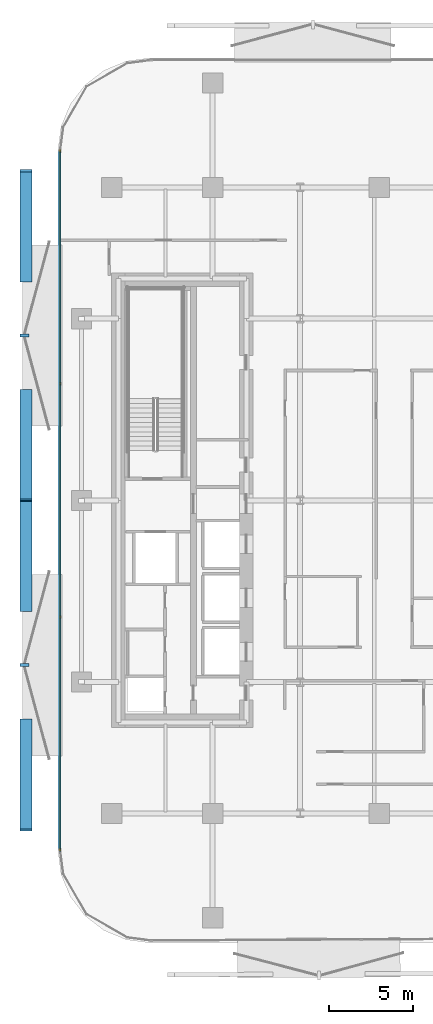
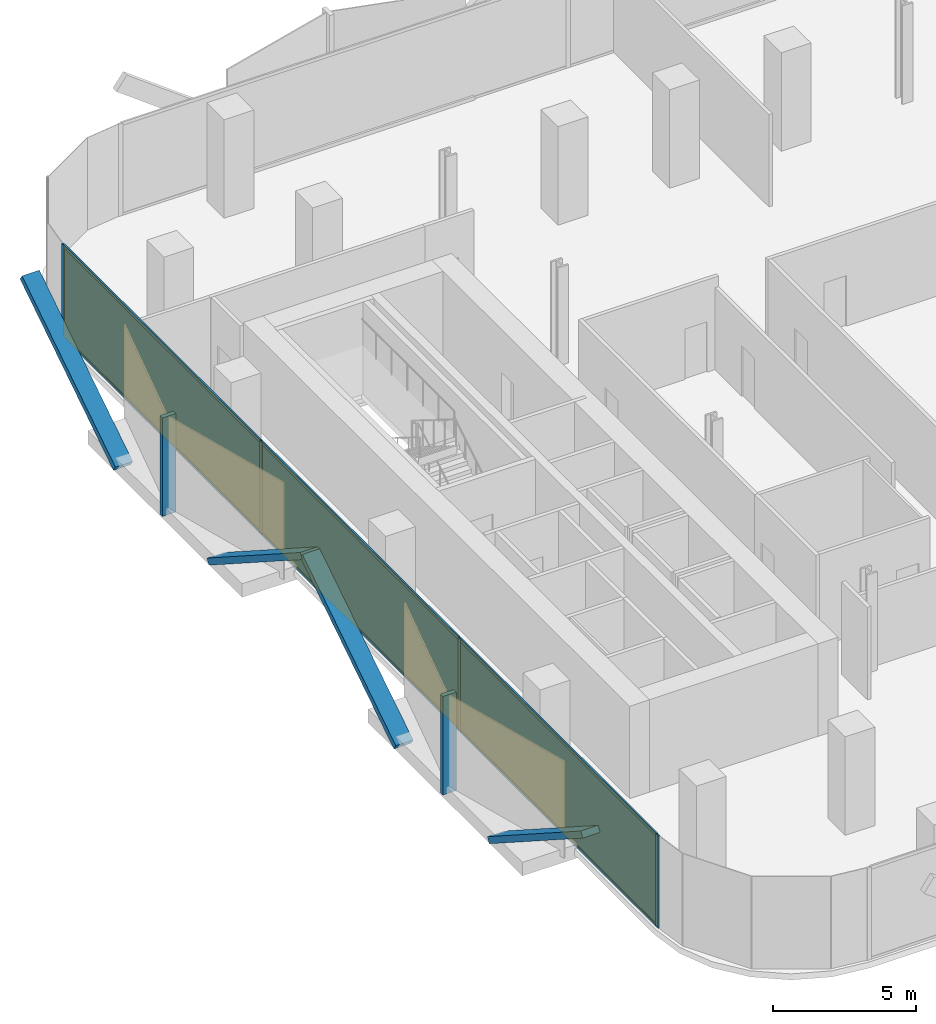
# One storey, part 8 of 15: 16 members, 3 plates, 1 curtain wall.
"""IFC4 building model written with IfcOpenShell, lengths in metres."""

from ifc_helpers import new_model, si_unit, direction, frame, frame_2d, origin, origin_2d, place, context, subcontext, project, spatial, rectangle, extrude, material, layer, layer_set, material_profile, profile_set, type_object, element, aggregate, save


model = new_model("IFC4")

# Units and contexts
model_context = context("Model", 3, precision=1e-05, world=origin(), true_north=direction((0.0, 1.0)))
body_context = subcontext(model_context, "Body", "Model", "MODEL_VIEW")
ifc_project = project(units=[si_unit("LENGTHUNIT", "METRE"), si_unit("AREAUNIT", "SQUARE_METRE"), si_unit("VOLUMEUNIT", "CUBIC_METRE"), si_unit("PLANEANGLEUNIT", "RADIAN"), si_unit("MASSUNIT", "GRAM", prefix="KILO")], contexts=[model_context])

# Member
ifc_material_1 = material(Name="Anodised Bronze Aluminium 6063-T6", Category="aluminium")
ifc_material_profile_1 = material_profile(ifc_material_1, rectangle(XDim=0.260009765625, YDim=0.699951171875, at=origin_2d()))
ifc_profile_set_1 = profile_set([ifc_material_profile_1], Name="Anodised Bronze Aluminium 6063-T6")
member_type_1 = type_object("IfcMemberType", Name="Bronze Diamond Solar-Screen Lattice Rib BDL-700", PredefinedType="MULLION", material=ifc_profile_set_1)
site_placement = place(None, origin())
building_placement = place(site_placement, origin())
storey_placement = place(building_placement, frame((0.0, 0.0, 101.60009765625)))
member_1_placement = place(storey_placement, frame((-25.5, -6.5302734375, -0.130126953125), z_axis=(0.0, 0.841066075866, 0.540932395062), x_axis=(0.0, -0.540932395062, 0.841066075866)))
member_1 = element("IfcMember", 1, at=member_1_placement, type_object=member_type_1, Name="L23 Bronze Diamond Solar Screen Lattice Rib 131A", PredefinedType="MULLION", context=body_context, shape_type="SweptSolid", body=[
    extrude(rectangle(XDim=0.260009765625, YDim=0.699951171875, at=origin_2d()), origin(), (0.0, 0.0, 1.0), 7.76416015625),
])

member_2_placement = place(storey_placement, frame((-25.5, -13.060546875, -0.130126953125), z_axis=(0.0, -0.841066075866, 0.540932395062), x_axis=(0.0, 0.540932395062, 0.841066075866)))
member_2 = element("IfcMember", 2, at=member_2_placement, type_object=member_type_1, Name="L23 Bronze Diamond Solar Screen Lattice Rib 131B", PredefinedType="MULLION", context=body_context, shape_type="SweptSolid", body=[
    extrude(rectangle(XDim=0.260009765625, YDim=0.699951171875, at=origin_2d()), origin(), (0.0, 0.0, 1.0), 7.76416015625),
])

member_3_placement = place(storey_placement, frame((-25.5, 13.060546875, -0.130126953125), z_axis=(0.0, 0.841066075866, 0.540932395062), x_axis=(0.0, -0.540932395062, 0.841066075866)))
member_3 = element("IfcMember", 3, at=member_3_placement, type_object=member_type_1, Name="L23 Bronze Diamond Solar Screen Lattice Rib 132A", PredefinedType="MULLION", context=body_context, shape_type="SweptSolid", body=[
    extrude(rectangle(XDim=0.260009765625, YDim=0.699951171875, at=origin_2d()), origin(), (0.0, 0.0, 1.0), 7.76416015625),
])

member_4_placement = place(storey_placement, frame((-25.5, 6.5302734375, -0.130126953125), z_axis=(0.0, -0.841066075866, 0.540932395062), x_axis=(0.0, 0.540932395062, 0.841066075866)))
member_4 = element("IfcMember", 4, at=member_4_placement, type_object=member_type_1, Name="L23 Bronze Diamond Solar Screen Lattice Rib 132B", PredefinedType="MULLION", context=body_context, shape_type="SweptSolid", body=[
    extrude(rectangle(XDim=0.260009765625, YDim=0.699951171875, at=origin_2d()), origin(), (0.0, 0.0, 1.0), 7.76416015625),
])

ifc_material_2 = material(Name="Anodised Bronze Aluminium 6063-T6", Category="aluminium")
ifc_material_profile_2 = material_profile(ifc_material_2, rectangle(XDim=0.179931640625, YDim=0.5400390625, at=origin_2d()))
ifc_profile_set_2 = profile_set([ifc_material_profile_2], Name="Anodised Bronze Aluminium 6063-T6")
member_type_2 = type_object("IfcMemberType", Name="Bronze Solar-Screen Vertical Fold Fin BSF-540", PredefinedType="MULLION", material=ifc_profile_set_2)
member_5_placement = place(storey_placement, frame((-25.580078125, -9.79541015625, -0.130126953125), z_axis=(0.0, 0.0, 1.0), x_axis=(0.0, 1.0, 0.0)))
member_5 = element("IfcMember", 5, at=member_5_placement, type_object=member_type_2, Name="L23 Bronze Solar Screen Vertical Fin 131", PredefinedType="MULLION", context=body_context, shape_type="SweptSolid", body=[
    extrude(rectangle(XDim=0.179931640625, YDim=0.5400390625, at=origin_2d()), origin(), (0.0, 0.0, 1.0), 4.199951171875),
])

member_6_placement = place(storey_placement, frame((-25.580078125, 9.79541015625, -0.130126953125), z_axis=(0.0, 0.0, 1.0), x_axis=(0.0, 1.0, 0.0)))
member_6 = element("IfcMember", 6, at=member_6_placement, type_object=member_type_2, Name="L23 Bronze Solar Screen Vertical Fin 132", PredefinedType="MULLION", context=body_context, shape_type="SweptSolid", body=[
    extrude(rectangle(XDim=0.179931640625, YDim=0.5400390625, at=origin_2d()), origin(), (0.0, 0.0, 1.0), 4.199951171875),
])

ifc_material_3 = material(Name="Anodised Bronze Aluminium 6063-T6", Category="aluminium")
ifc_material_profile_3 = material_profile(ifc_material_3, rectangle(XDim=0.06494140625, YDim=0.175048828125, at=origin_2d()))
ifc_profile_set_3 = profile_set([ifc_material_profile_3], Name="Anodised Bronze Aluminium 6063-T6")
member_type_3 = type_object("IfcMemberType", Name="CW-Z2 Mullion 65x175", PredefinedType="MULLION", material=ifc_profile_set_3)
member_7_placement = place(storey_placement, frame((-23.4599609375, -20.75830078125, 0.0), z_axis=(0.0, 0.0, 1.0), x_axis=(-1.0, 0.0, 0.0)))
member_7 = element("IfcMember", 7, at=member_7_placement, type_object=member_type_3, Name="CW-Z2 mullion 1", PredefinedType="MULLION", context=body_context, shape_type="SweptSolid", body=[
    extrude(rectangle(XDim=0.06494140625, YDim=0.175048828125, at=origin_2d()), origin(), (0.0, 0.0, 1.0), 3.93994140625),
])

member_8_placement = place(storey_placement, frame((-23.4599609375, -6.93017578125, 0.0), z_axis=(0.0, 0.0, 1.0), x_axis=(-1.0, 0.0, 0.0)))
member_8 = element("IfcMember", 8, at=member_8_placement, type_object=member_type_3, Name="CW-Z2 mullion 2", PredefinedType="MULLION", context=body_context, shape_type="SweptSolid", body=[
    extrude(rectangle(XDim=0.06494140625, YDim=0.175048828125, at=origin_2d()), origin(), (0.0, 0.0, 1.0), 3.93994140625),
])

member_9_placement = place(storey_placement, frame((-23.4599609375, 6.93017578125, 0.0), z_axis=(0.0, 0.0, 1.0), x_axis=(-1.0, 0.0, 0.0)))
member_9 = element("IfcMember", 9, at=member_9_placement, type_object=member_type_3, Name="CW-Z2 mullion 3", PredefinedType="MULLION", context=body_context, shape_type="SweptSolid", body=[
    extrude(rectangle(XDim=0.06494140625, YDim=0.175048828125, at=origin_2d()), origin(), (0.0, 0.0, 1.0), 3.93994140625),
])

member_10_placement = place(storey_placement, frame((-23.4599609375, 20.75830078125, 0.0), z_axis=(0.0, 0.0, 1.0), x_axis=(-1.0, 0.0, 0.0)))
member_10 = element("IfcMember", 10, at=member_10_placement, type_object=member_type_3, Name="CW-Z2 mullion 4", PredefinedType="MULLION", context=body_context, shape_type="SweptSolid", body=[
    extrude(rectangle(XDim=0.06494140625, YDim=0.175048828125, at=origin_2d()), origin(), (0.0, 0.0, 1.0), 3.93994140625),
])

ifc_material_4 = material(Name="Anodised Bronze Aluminium 6063-T6", Category="aluminium")
ifc_material_profile_4 = material_profile(ifc_material_4, rectangle(XDim=0.06494140625, YDim=0.135009765625, at=origin_2d()))
ifc_profile_set_4 = profile_set([ifc_material_profile_4], Name="Anodised Bronze Aluminium 6063-T6")
member_type_4 = type_object("IfcMemberType", Name="CW-Z2 Transom 65x135", PredefinedType="USERDEFINED", material=ifc_profile_set_4)
member_11_placement = place(storey_placement, frame((-23.4599609375, -20.725830078125, 0.032470703125), z_axis=(0.0, 1.0, 0.0), x_axis=(-1.0, 0.0, 0.0)))
member_11 = element("IfcMember", 11, at=member_11_placement, type_object=member_type_4, Name="CW-Z2 transom 1.1", ObjectType="TRANSOM", PredefinedType="USERDEFINED", context=body_context, shape_type="SweptSolid", body=[
    extrude(rectangle(XDim=0.06494140625, YDim=0.135009765625, at=origin_2d()), origin(), (0.0, 0.0, 1.0), 13.76318359375),
])

member_12_placement = place(storey_placement, frame((-23.4599609375, -20.725830078125, 3.907470703125), z_axis=(0.0, 1.0, 0.0), x_axis=(-1.0, 0.0, 0.0)))
member_12 = element("IfcMember", 12, at=member_12_placement, type_object=member_type_4, Name="CW-Z2 transom 1.2", ObjectType="TRANSOM", PredefinedType="USERDEFINED", context=body_context, shape_type="SweptSolid", body=[
    extrude(rectangle(XDim=0.06494140625, YDim=0.135009765625, at=origin_2d()), origin(), (0.0, 0.0, 1.0), 13.76318359375),
])

member_13_placement = place(storey_placement, frame((-23.4599609375, -6.897705078125, 0.032470703125), z_axis=(0.0, 1.0, 0.0), x_axis=(-1.0, 0.0, 0.0)))
member_13 = element("IfcMember", 13, at=member_13_placement, type_object=member_type_4, Name="CW-Z2 transom 2.1", ObjectType="TRANSOM", PredefinedType="USERDEFINED", context=body_context, shape_type="SweptSolid", body=[
    extrude(rectangle(XDim=0.06494140625, YDim=0.135009765625, at=origin_2d()), origin(), (0.0, 0.0, 1.0), 13.79541015625),
])

member_14_placement = place(storey_placement, frame((-23.4599609375, -6.897705078125, 3.907470703125), z_axis=(0.0, 1.0, 0.0), x_axis=(-1.0, 0.0, 0.0)))
member_14 = element("IfcMember", 14, at=member_14_placement, type_object=member_type_4, Name="CW-Z2 transom 2.2", ObjectType="TRANSOM", PredefinedType="USERDEFINED", context=body_context, shape_type="SweptSolid", body=[
    extrude(rectangle(XDim=0.06494140625, YDim=0.135009765625, at=origin_2d()), origin(), (0.0, 0.0, 1.0), 13.79541015625),
])

member_15_placement = place(storey_placement, frame((-23.4599609375, 6.962646484375, 0.032470703125), z_axis=(0.0, 1.0, 0.0), x_axis=(-1.0, 0.0, 0.0)))
member_15 = element("IfcMember", 15, at=member_15_placement, type_object=member_type_4, Name="CW-Z2 transom 3.1", ObjectType="TRANSOM", PredefinedType="USERDEFINED", context=body_context, shape_type="SweptSolid", body=[
    extrude(rectangle(XDim=0.06494140625, YDim=0.135009765625, at=origin_2d()), origin(), (0.0, 0.0, 1.0), 13.76318359375),
])

member_16_placement = place(storey_placement, frame((-23.4599609375, 6.962646484375, 3.907470703125), z_axis=(0.0, 1.0, 0.0), x_axis=(-1.0, 0.0, 0.0)))
member_16 = element("IfcMember", 16, at=member_16_placement, type_object=member_type_4, Name="CW-Z2 transom 3.2", ObjectType="TRANSOM", PredefinedType="USERDEFINED", context=body_context, shape_type="SweptSolid", body=[
    extrude(rectangle(XDim=0.06494140625, YDim=0.135009765625, at=origin_2d()), origin(), (0.0, 0.0, 1.0), 13.76318359375),
])

# Plate
ifc_material_5 = material(Name="Low-E Solar Control Laminated Glass", Category="glass")
ifc_layer_1 = layer(ifc_material_5, 0.028076171875, Name="Low-E Solar Control Laminated Glass")
ifc_layer_set_1 = layer_set([ifc_layer_1], Name="Low-E Solar Control Laminated Glass")
plate_type = type_object("IfcPlateType", Name="CW-Z2 Low-E Double Glazed Panel 28mm", PredefinedType="CURTAIN_PANEL", material=ifc_layer_set_1)
plate_1_placement = place(storey_placement, frame((-23.4599609375, -13.84423828125, 0.06494140625), z_axis=(0.0, 0.0, 1.0), x_axis=(0.0, 1.0, 0.0)))
plate_1 = element("IfcPlate", 17, at=plate_1_placement, type_object=plate_type, Name="CW-Z2 panel 1.1", PredefinedType="CURTAIN_PANEL", context=body_context, shape_type="SweptSolid", body=[
    extrude(rectangle(XDim=13.762939453125, YDim=0.028076171875, at=origin_2d()), origin(), (0.0, 0.0, 1.0), 3.81005859375),
])

plate_2_placement = place(storey_placement, frame((-23.4599609375, 0.0, 0.06494140625), z_axis=(0.0, 0.0, 1.0), x_axis=(0.0, 1.0, 0.0)))
plate_2 = element("IfcPlate", 18, at=plate_2_placement, type_object=plate_type, Name="CW-Z2 panel 2.1", PredefinedType="CURTAIN_PANEL", context=body_context, shape_type="SweptSolid", body=[
    extrude(rectangle(XDim=13.795654296875, YDim=0.028076171875, at=origin_2d()), origin(), (0.0, 0.0, 1.0), 3.81005859375),
])

plate_3_placement = place(storey_placement, frame((-23.4599609375, 13.84423828125, 0.06494140625), z_axis=(0.0, 0.0, 1.0), x_axis=(0.0, 1.0, 0.0)))
plate_3 = element("IfcPlate", 19, at=plate_3_placement, type_object=plate_type, Name="CW-Z2 panel 3.1", PredefinedType="CURTAIN_PANEL", context=body_context, shape_type="SweptSolid", body=[
    extrude(rectangle(XDim=13.762939453125, YDim=0.028076171875, at=origin_2d()), origin(), (0.0, 0.0, 1.0), 3.81005859375),
])

# Site, building, storey
site = spatial("IfcSite", under=ifc_project, at=site_placement, CompositionType="ELEMENT")
building = spatial("IfcBuilding", under=site, at=building_placement, Name="Khairoan Windgate Tower", CompositionType="ELEMENT")
storey = spatial("IfcBuildingStorey", under=building, at=storey_placement, Name="L23", CompositionType="ELEMENT", Elevation=101.60009765625)

# Curtain wall
ifc_material_6 = material(Name="Anodised Bronze Aluminium 6063-T6", Category="aluminium")
ifc_layer_2 = layer(ifc_material_6, 0.175048828125, Name="Anodised Bronze Aluminium 6063-T6")
ifc_layer_set_2 = layer_set([ifc_layer_2], Name="Anodised Bronze Aluminium 6063-T6")
curtain_wall_type = type_object("IfcCurtainWallType", Name="Mid-Rise Office Unitised Curtain Wall CW-Z2", PredefinedType="NOTDEFINED", material=ifc_layer_set_2)
curtain_wall_placement = place(storey_placement, frame((-23.4599609375, -20.790771484375, 0.0), z_axis=(0.0, 0.0, 1.0), x_axis=(0.0, 1.0, 0.0)))
curtain_wall = element("IfcCurtainWall", 20, at=curtain_wall_placement, inside=storey, type_object=curtain_wall_type, Name="L23 Unitised Curtain Wall 6", PredefinedType="NOTDEFINED", context=body_context, shape_type="SweptSolid", body=[
    extrude(rectangle(XDim=41.58154296875, YDim=0.010009765625, at=frame_2d((20.790771484375, 0.0))), origin(), (0.0, 0.0, 1.0), 3.93994140625),
])

aggregate(curtain_wall, [member_7, member_8, member_9, member_10, member_11, member_12, plate_1, member_13, member_14, plate_2, member_15, member_16, plate_3, member_1, member_2, member_5, member_3, member_4, member_6])

save(model, "model.ifc")
